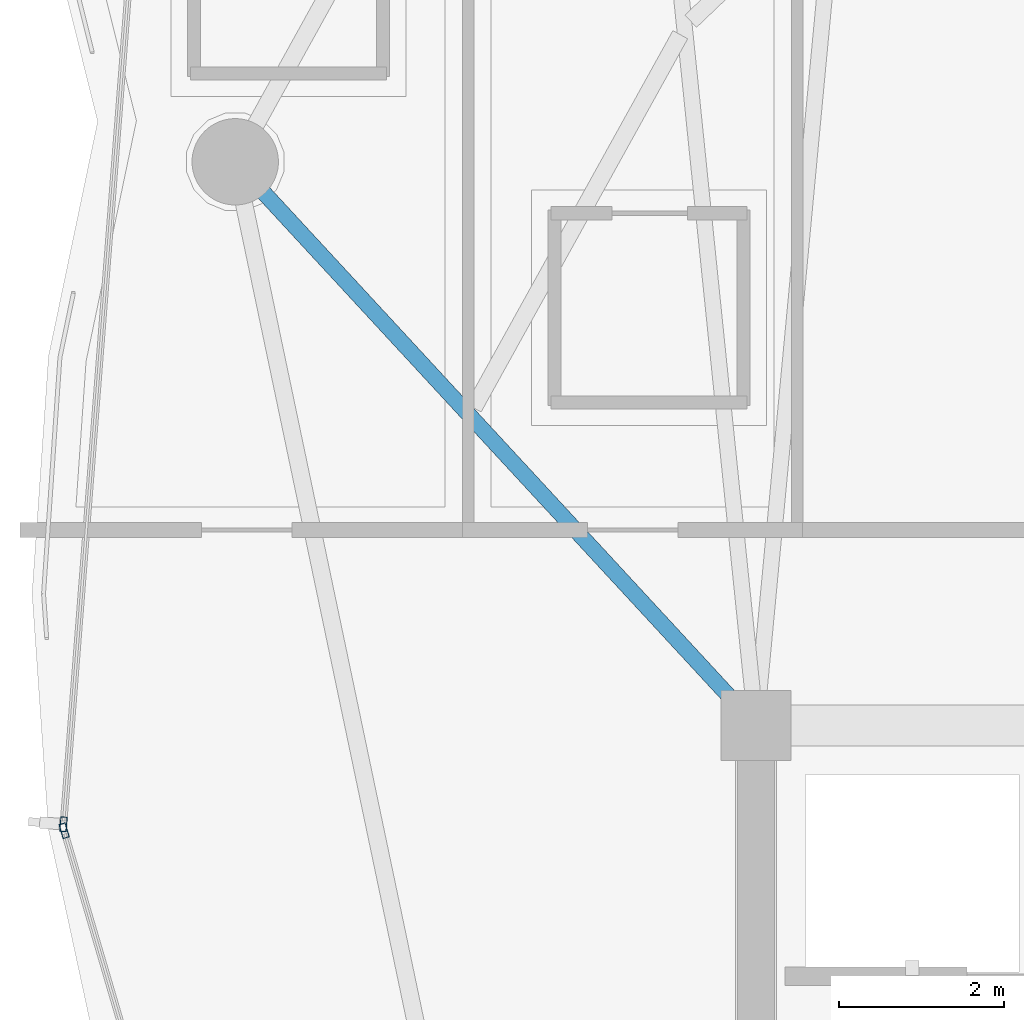
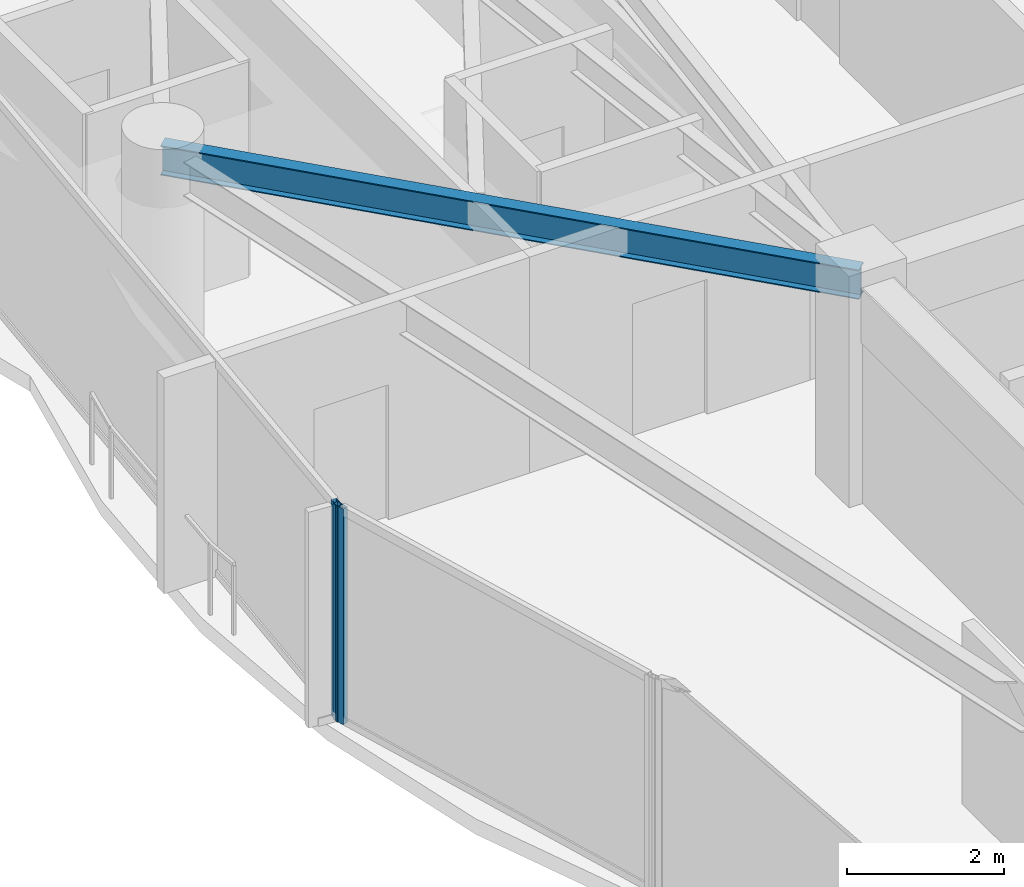
# One storey, part 8 of 31: 2 members, 1 beam, 2 elements without a shape of their own.
"""IFC4 building model written with IfcOpenShell, lengths in metres."""

from ifc_helpers import new_model, si_unit, direction, frame, origin, origin_2d, place, context, subcontext, project, spatial, hollow_rectangle, i_section, extrude, material, layer, layer_set, material_profile, profile_set, type_object, element, aggregate, save


model = new_model("IFC4")

# Units and contexts
model_context = context("Model", 3, precision=1e-05, world=origin(), true_north=direction((0.0, 1.0)))
body_context = subcontext(model_context, "Body", "Model", "MODEL_VIEW")
ifc_project = project(units=[si_unit("LENGTHUNIT", "METRE"), si_unit("AREAUNIT", "SQUARE_METRE"), si_unit("VOLUMEUNIT", "CUBIC_METRE"), si_unit("PLANEANGLEUNIT", "RADIAN"), si_unit("MASSUNIT", "GRAM", prefix="KILO")], contexts=[model_context])

# Site, building, storey
site_placement = place(None, origin())
site = spatial("IfcSite", under=ifc_project, at=site_placement, CompositionType="ELEMENT")
building_placement = place(site_placement, origin())
building = spatial("IfcBuilding", under=site, at=building_placement, Name="Kazevale Care Tower and Concert Hall", CompositionType="ELEMENT")
storey_placement = place(building_placement, frame((0.0, 0.0, 210.0)))
storey = spatial("IfcBuildingStorey", under=building, at=storey_placement, Name="L55", CompositionType="ELEMENT", Elevation=210.0)

# Curtain wall, member
ifc_material_1 = material(Name="Aluminium 6063-T6 and Low-E Glass", Category="aluminium")
ifc_layer = layer(ifc_material_1, 0.179931640625)
ifc_layer_set = layer_set([ifc_layer], Name="Aluminium 6063-T6 and Low-E Glass")
curtain_wall_type = type_object("IfcCurtainWallType", Name="Waist & Upper Residential Curtain Wall CW-4", PredefinedType="NOTDEFINED", material=ifc_layer_set)
curtain_wall_1_placement = place(storey_placement, origin())
curtain_wall_1 = element("IfcCurtainWall", 1, at=curtain_wall_1_placement, inside=storey, type_object=curtain_wall_type, Name="cw:L55:f12", PredefinedType="NOTDEFINED")
ifc_material_2 = material(Name="Aluminium 6063-T6", Category="aluminium")
ifc_material_profile_1 = material_profile(ifc_material_2, hollow_rectangle(XDim=0.080078125, YDim=0.179931640625, WallThickness=0.0048828125, at=origin_2d()), Name="ALU80x180x5")
ifc_profile_set_1 = profile_set([ifc_material_profile_1], Name="Aluminium 6063-T6")
member_type = type_object("IfcMemberType", Name="CW-4 Mullion ALU80x180x5", PredefinedType="MULLION", material=ifc_profile_set_1)
member_1_placement = place(storey_placement, frame((13.59033203125, 35.11865234375, 0.0), z_axis=(0.0, 0.0, 1.0), x_axis=(-0.959385539982, -0.282098184457, 0.0)))
member_1 = element("IfcMember", 2, at=member_1_placement, type_object=member_type, Name="CW-4 mullion 2", PredefinedType="MULLION", context=body_context, shape_type="SweptSolid", body=[
    extrude(hollow_rectangle(XDim=0.080078125, YDim=0.179931640625, WallThickness=0.0048828125, at=origin_2d()), origin(), (0.0, 0.0, 1.0), 3.360107421875),
])
aggregate(curtain_wall_1, [member_1])

curtain_wall_2_placement = place(storey_placement, origin())
curtain_wall_2 = element("IfcCurtainWall", 3, at=curtain_wall_2_placement, inside=storey, type_object=curtain_wall_type, Name="cw:L55:f13", PredefinedType="NOTDEFINED")
member_2_placement = place(storey_placement, frame((13.58203125, 35.19677734375, 0.0), z_axis=(0.0, 0.0, 1.0), x_axis=(-0.996989311372, 0.077539106325, 0.0)))
member_2 = element("IfcMember", 4, at=member_2_placement, type_object=member_type, Name="CW-4 mullion 1", PredefinedType="MULLION", context=body_context, shape_type="SweptSolid", body=[
    extrude(hollow_rectangle(XDim=0.080078125, YDim=0.179931640625, WallThickness=0.0048828125, at=origin_2d()), origin(), (0.0, 0.0, 1.0), 3.360107421875),
])
aggregate(curtain_wall_2, [member_2])

# Beam
ifc_material_3 = material(Name="Steel ASTM A572 Gr 50", Category="steel")
ifc_material_profile_2 = material_profile(ifc_material_3, i_section(OverallWidth=0.19091796875, OverallDepth=0.4599609375, WebThickness=0.010009765625, FlangeThickness=0.01611328125, at=origin_2d()), Name="W460x82")
ifc_profile_set_2 = profile_set([ifc_material_profile_2], Name="Steel ASTM A572 Gr 50")
beam_type = type_object("IfcBeamType", Name="Radial Floor Beam W460x82", PredefinedType="BEAM", material=ifc_profile_set_2)
beam_placement = place(storey_placement, frame((22.0, 36.39990234375, 3.1298828125), z_axis=(-0.678680078581, 0.734434034435, 0.0), x_axis=(-0.734434034435, -0.678680078581, 0.0)))
element("IfcBeam", 5, at=beam_placement, inside=storey, type_object=beam_type, Name="beam:L55:rad:09", PredefinedType="BEAM", context=body_context, shape_type="SweptSolid", body=[
    extrude(i_section(OverallWidth=0.19091796875, OverallDepth=0.4599609375, WebThickness=0.010009765625, FlangeThickness=0.01611328125, at=origin_2d()), origin(), (0.0, 0.0, 1.0), 9.3271484375),
])

save(model, "model.ifc")
